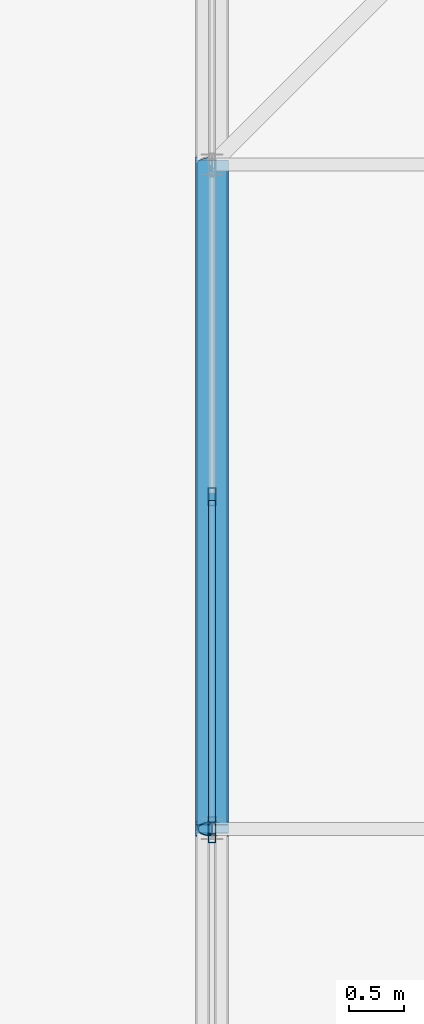
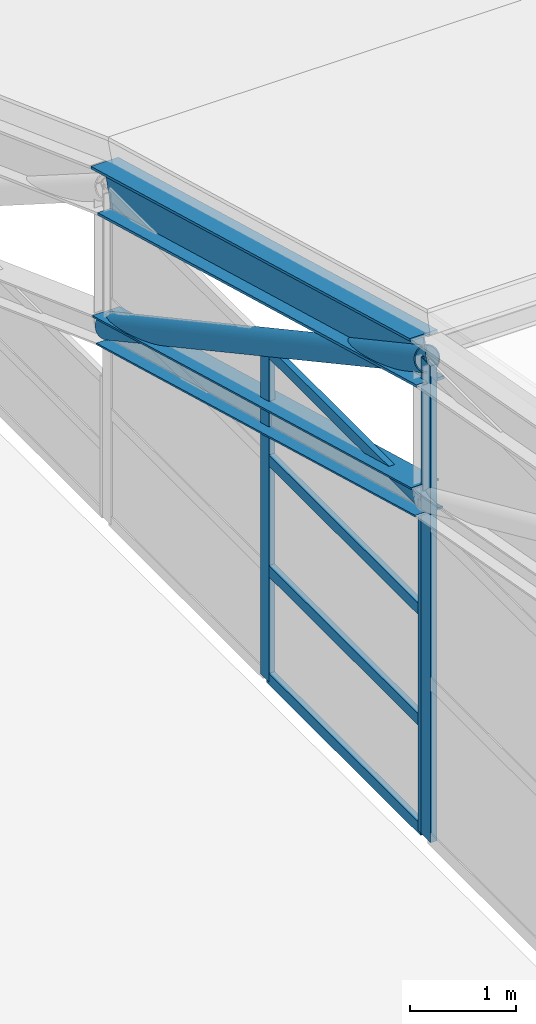
# One storey, part 37 of 204: 10 members, 2 elements without a shape of their own.
"""IFC4 building model written with IfcOpenShell, lengths in metres."""

from ifc_helpers import new_model, si_unit, direction, frame, origin, origin_2d, place, context, subcontext, project, spatial, hollow_rectangle, hollow_circle, i_section, extrude, material, layer, layer_set, material_profile, profile_set, type_object, element, aggregate, save


model = new_model("IFC4")

# Units and contexts
model_context = context("Model", 3, precision=1e-05, world=origin(), true_north=direction((0.0, 1.0)))
body_context = subcontext(model_context, "Body", "Model", "MODEL_VIEW")
ifc_project = project(units=[si_unit("LENGTHUNIT", "METRE"), si_unit("AREAUNIT", "SQUARE_METRE"), si_unit("VOLUMEUNIT", "CUBIC_METRE"), si_unit("PLANEANGLEUNIT", "RADIAN"), si_unit("MASSUNIT", "GRAM", prefix="KILO")], contexts=[model_context])

# Site, building, storey
site_placement = place(None, origin())
site = spatial("IfcSite", under=ifc_project, at=site_placement, CompositionType="ELEMENT")
building_placement = place(site_placement, origin())
building = spatial("IfcBuilding", under=site, at=building_placement, Name="Zilviju Railside Exhibition Hall", CompositionType="ELEMENT")
storey_placement = place(building_placement, frame((0.0, 0.0, 21.0)))
storey = spatial("IfcBuildingStorey", under=building, at=storey_placement, Name="RF", CompositionType="ELEMENT", Elevation=21.0)

# Curtain wall, members
ifc_material_1 = material(Name="Thermally broken aluminium-steel triple-glazed curtain wall", Category="steel")
ifc_layer_1 = layer(ifc_material_1, 0.179931640625)
ifc_layer_set_1 = layer_set([ifc_layer_1], Name="Thermally broken aluminium-steel triple-glazed curtain wall")
curtain_wall_type_1 = type_object("IfcCurtainWallType", Name="CW-BAY-16", PredefinedType="USERDEFINED", material=ifc_layer_set_1)
curtain_wall_1_placement = place(storey_placement, origin())
curtain_wall_1 = element("IfcCurtainWall", 1, at=curtain_wall_1_placement, inside=storey, type_object=curtain_wall_type_1, Name="South Hall Arch Tympanum Glazing West P8", ObjectType="GLAZED CURTAIN WALL", PredefinedType="USERDEFINED")
ifc_material_2 = material(Name="Thermally broken anodized aluminium mullion", Category="aluminium")
ifc_material_profile_1 = material_profile(ifc_material_2, hollow_rectangle(XDim=0.06494140625, YDim=0.159912109375, WallThickness=0.0048828125, at=origin_2d()), Name="MULLION 160x65x5")
ifc_profile_set_1 = profile_set([ifc_material_profile_1], Name="Thermally broken anodized aluminium mullion")
member_type_1 = type_object("IfcMemberType", Name="CWM-65x160", PredefinedType="MULLION", material=ifc_profile_set_1)
member_1_placement = place(storey_placement, frame((78.0, 42.032470703125, -7.800048828125), z_axis=(0.0, 0.0, 1.0), x_axis=(-1.0, 0.0, 0.0)))
member_1 = element("IfcMember", 2, at=member_1_placement, type_object=member_type_1, Name="CW-16 mullion 1", PredefinedType="MULLION", context=body_context, shape_type="SweptSolid", body=[
    extrude(hollow_rectangle(XDim=0.06494140625, YDim=0.159912109375, WallThickness=0.0048828125, at=origin_2d()), origin(), (0.0, 0.0, 1.0), 3.81201171875),
])
member_2_placement = place(storey_placement, frame((78.0, 45.0, -7.800048828125), z_axis=(0.0, 0.0, 1.0), x_axis=(-1.0, 0.0, 0.0)))
member_2 = element("IfcMember", 3, at=member_2_placement, type_object=member_type_1, Name="CW-16 mullion 2", PredefinedType="MULLION", context=body_context, shape_type="SweptSolid", body=[
    extrude(hollow_rectangle(XDim=0.06494140625, YDim=0.159912109375, WallThickness=0.0048828125, at=origin_2d()), origin(), (0.0, 0.0, 1.0), 3.81201171875),
])

# Curtain wall, member
ifc_layer_2 = layer(ifc_material_1, 0.179931640625)
ifc_layer_set_2 = layer_set([ifc_layer_2], Name="Thermally broken aluminium-steel triple-glazed curtain wall")
curtain_wall_type_2 = type_object("IfcCurtainWallType", Name="CW-BAY-15", PredefinedType="USERDEFINED", material=ifc_layer_set_2)
curtain_wall_2_placement = place(storey_placement, origin())
curtain_wall_2 = element("IfcCurtainWall", 4, at=curtain_wall_2_placement, inside=storey, type_object=curtain_wall_type_2, Name="South Hall Arch Tympanum Glazing West P7", ObjectType="GLAZED CURTAIN WALL", PredefinedType="USERDEFINED")
ifc_material_profile_2 = material_profile(ifc_material_2, hollow_rectangle(XDim=0.070068359375, YDim=0.179931640625, WallThickness=0.0048828125, at=origin_2d()), Name="MULLION 180x70x5")
ifc_profile_set_2 = profile_set([ifc_material_profile_2], Name="Thermally broken anodized aluminium mullion")
member_type_2 = type_object("IfcMemberType", Name="CWM-70x180", PredefinedType="MULLION", material=ifc_profile_set_2)
member_3_placement = place(storey_placement, frame((78.0, 41.965087890625, -7.800048828125), z_axis=(0.0, 0.0, 1.0), x_axis=(-1.0, 0.0, 0.0)))
member_3 = element("IfcMember", 5, at=member_3_placement, type_object=member_type_2, Name="CW-15 mullion 3", PredefinedType="MULLION", context=body_context, shape_type="SweptSolid", body=[
    extrude(hollow_rectangle(XDim=0.070068359375, YDim=0.179931640625, WallThickness=0.0048828125, at=origin_2d()), origin(), (0.0, 0.0, 1.0), 5.47216796875),
])
aggregate(curtain_wall_2, [member_3])

# Member
ifc_material_3 = material(Name="Thermally broken anodized aluminium transom", Category="aluminium")
ifc_material_profile_3 = material_profile(ifc_material_3, hollow_rectangle(XDim=0.06494140625, YDim=0.1298828125, WallThickness=0.0048828125, at=origin_2d()), Name="TRANSOM 130x65x5")
ifc_profile_set_3 = profile_set([ifc_material_profile_3], Name="Thermally broken anodized aluminium transom")
member_type_3 = type_object("IfcMemberType", Name="CWT-65x130", PredefinedType="USERDEFINED", material=ifc_profile_set_3)
member_4_placement = place(storey_placement, frame((78.0, 42.06494140625, -7.767578125), z_axis=(0.0, 1.0, 0.0), x_axis=(-1.0, 0.0, 0.0)))
member_4 = element("IfcMember", 6, at=member_4_placement, type_object=member_type_3, Name="CW-16 transom 1.1", ObjectType="TRANSOM", PredefinedType="USERDEFINED", context=body_context, shape_type="SweptSolid", body=[
    extrude(hollow_rectangle(XDim=0.06494140625, YDim=0.1298828125, WallThickness=0.0048828125, at=origin_2d()), origin(), (0.0, 0.0, 1.0), 2.902587890625),
])

member_5_placement = place(storey_placement, frame((78.0, 42.06494140625, -6.529052734375), z_axis=(0.0, 1.0, 0.0), x_axis=(-1.0, 0.0, 0.0)))
member_5 = element("IfcMember", 7, at=member_5_placement, type_object=member_type_3, Name="CW-16 transom 1.2", ObjectType="TRANSOM", PredefinedType="USERDEFINED", context=body_context, shape_type="SweptSolid", body=[
    extrude(hollow_rectangle(XDim=0.06494140625, YDim=0.1298828125, WallThickness=0.0048828125, at=origin_2d()), origin(), (0.0, 0.0, 1.0), 2.902587890625),
])

member_6_placement = place(storey_placement, frame((78.0, 42.06494140625, -5.259033203125), z_axis=(0.0, 1.0, 0.0), x_axis=(-1.0, 0.0, 0.0)))
member_6 = element("IfcMember", 8, at=member_6_placement, type_object=member_type_3, Name="CW-16 transom 1.3", ObjectType="TRANSOM", PredefinedType="USERDEFINED", context=body_context, shape_type="SweptSolid", body=[
    extrude(hollow_rectangle(XDim=0.06494140625, YDim=0.1298828125, WallThickness=0.0048828125, at=origin_2d()), origin(), (0.0, 0.0, 1.0), 2.902587890625),
])

member_7_placement = place(storey_placement, frame((78.0, 42.06494140625, -4.0205078125), z_axis=(0.0, 1.0, 0.0), x_axis=(-1.0, 0.0, 0.0)))
member_7 = element("IfcMember", 9, at=member_7_placement, type_object=member_type_3, Name="CW-16 transom 1.4", ObjectType="TRANSOM", PredefinedType="USERDEFINED", context=body_context, shape_type="SweptSolid", body=[
    extrude(hollow_rectangle(XDim=0.06494140625, YDim=0.1298828125, WallThickness=0.0048828125, at=origin_2d()), origin(), (0.0, 0.0, 1.0), 2.902587890625),
])

aggregate(curtain_wall_1, [member_1, member_2, member_4, member_5, member_6, member_7])

# Members
ifc_material_4 = material(Name="Steel S355ML", Category="steel")
ifc_material_profile_4 = material_profile(ifc_material_4, hollow_circle(Radius=0.136474609375, WallThickness=0.012451171875, at=origin_2d()), Name="CHS 273.0x12.5")
ifc_profile_set_4 = profile_set([ifc_material_profile_4], Name="Steel S355ML")
member_type_4 = type_object("IfcMemberType", Name="TR-BR-CHS273", PredefinedType="BRACE", material=ifc_profile_set_4)
member_8_placement = place(storey_placement, frame((78.0, 42.0, -2.328369140625), z_axis=(0.0, 0.87872232578, -0.477333294644), x_axis=(-1.0, 0.0, 0.0)))
element("IfcMember", 10, at=member_8_placement, inside=storey, type_object=member_type_4, Name="V1 Parabolic Arch Web Diagonal X=78.0 P8", PredefinedType="BRACE", context=body_context, shape_type="SweptSolid", body=[
    extrude(hollow_circle(Radius=0.136474609375, WallThickness=0.012451171875, at=origin_2d()), origin(), (0.0, 0.0, 1.0), 6.828125),
])
ifc_material_profile_5 = material_profile(ifc_material_4, i_section(OverallWidth=0.300048828125, OverallDepth=0.300048828125, WebThickness=0.010986328125, FlangeThickness=0.01904296875, at=origin_2d()), Name="HEB 300")
ifc_profile_set_5 = profile_set([ifc_material_profile_5], Name="Steel S355ML")
member_type_5 = type_object("IfcMemberType", Name="TR-CH-HEB300", PredefinedType="CHORD", material=ifc_profile_set_5)
member_9_placement = place(storey_placement, frame((78.0, 42.0, -3.928466796875), z_axis=(0.0, 0.963827412659, -0.266527144223), x_axis=(-1.0, 0.0, 0.0)))
element("IfcMember", 11, at=member_9_placement, inside=storey, type_object=member_type_5, Name="V1 Parabolic Arch Bottom Chord X=78.0 P8", PredefinedType="CHORD", context=body_context, shape_type="SweptSolid", body=[
    extrude(i_section(OverallWidth=0.300048828125, OverallDepth=0.300048828125, WebThickness=0.010986328125, FlangeThickness=0.01904296875, at=origin_2d()), origin(), (0.0, 0.0, 1.0), 6.22509765625),
])
ifc_material_profile_6 = material_profile(ifc_material_4, i_section(OverallWidth=0.300048828125, OverallDepth=0.5, WebThickness=0.014404296875, FlangeThickness=0.028076171875, at=origin_2d()), Name="HEB 500")
ifc_profile_set_6 = profile_set([ifc_material_profile_6], Name="Steel S355ML")
member_type_6 = type_object("IfcMemberType", Name="TR-CH-HEB500-ML", PredefinedType="CHORD", material=ifc_profile_set_6)
member_10_placement = place(storey_placement, frame((78.0, 42.0, -2.328369140625), z_axis=(0.0, 0.963827412659, -0.266527144223), x_axis=(-1.0, 0.0, 0.0)))
element("IfcMember", 12, at=member_10_placement, inside=storey, type_object=member_type_6, Name="V1 Parabolic Arch Top Chord X=78.0 P8", PredefinedType="CHORD", context=body_context, shape_type="SweptSolid", body=[
    extrude(i_section(OverallWidth=0.300048828125, OverallDepth=0.5, WebThickness=0.014404296875, FlangeThickness=0.028076171875, at=origin_2d()), origin(), (0.0, 0.0, 1.0), 6.22509765625),
])

save(model, "model.ifc")
